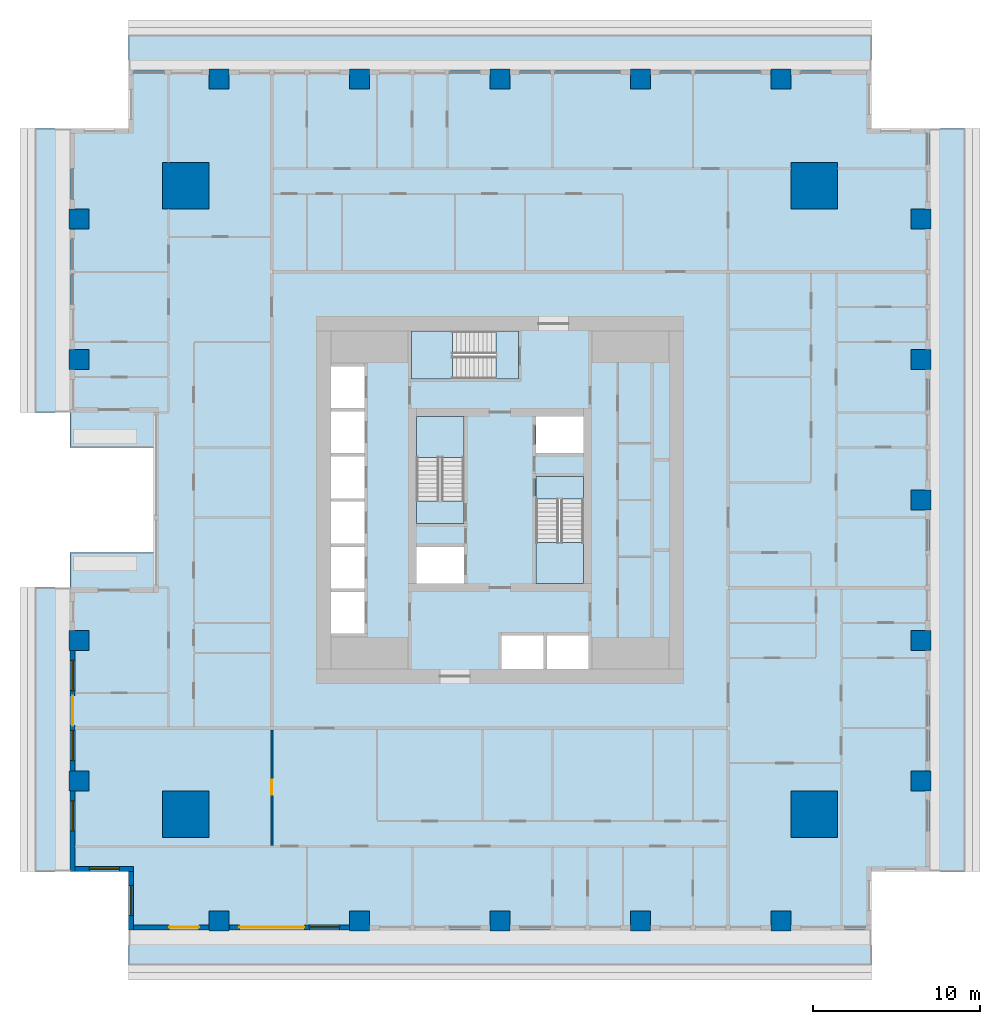
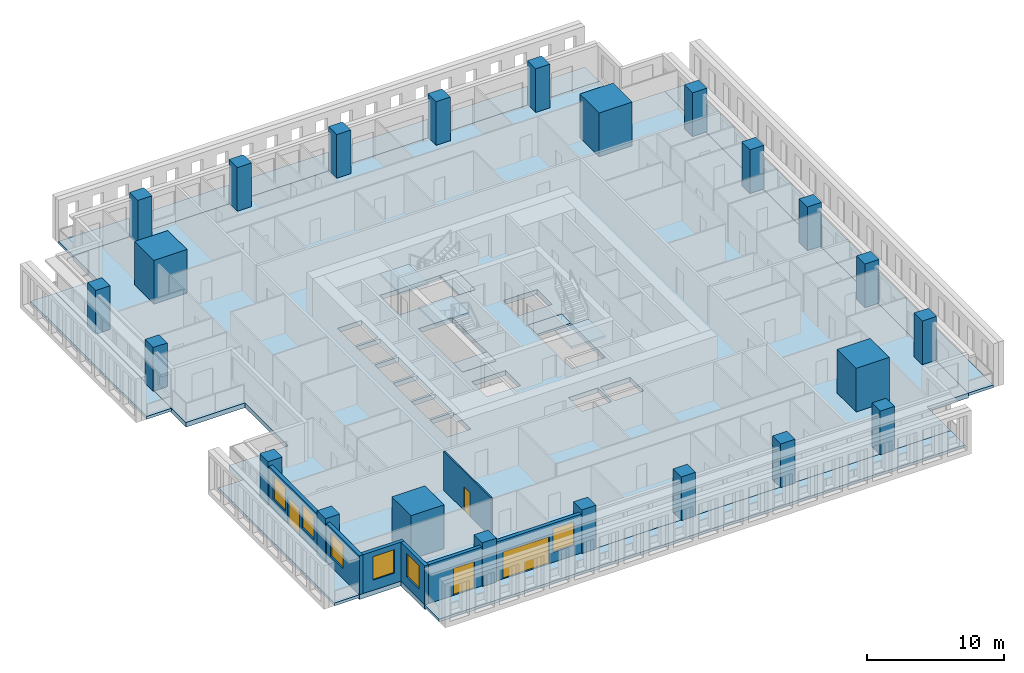
# One storey, part 1 of 14: 23 columns, 12 slabs, 7 walls, 6 windows, 4 doors, 10 openings, 3 elements without a shape of their own.
"""IFC4 building model written with IfcOpenShell, lengths in metres."""

from ifc_helpers import new_model, si_unit, direction, frame, frame_2d, origin, origin_2d, place, context, subcontext, project, spatial, polyline, rectangle, outline, extrude, material, layer, layer_set, material_profile, profile_set, type_object, element, fill, aggregate, save


model = new_model("IFC4")

# Units and contexts
model_context = context("Model", 3, precision=1e-05, world=origin(), true_north=direction((0.0, 1.0)))
body_context = subcontext(model_context, "Body", "Model", "MODEL_VIEW")
ifc_project = project(units=[si_unit("LENGTHUNIT", "METRE"), si_unit("AREAUNIT", "SQUARE_METRE"), si_unit("VOLUMEUNIT", "CUBIC_METRE"), si_unit("PLANEANGLEUNIT", "RADIAN"), si_unit("MASSUNIT", "GRAM", prefix="KILO")], contexts=[model_context])

# Site, building, storey
site_placement = place(None, origin())
site = spatial("IfcSite", under=ifc_project, at=site_placement, CompositionType="ELEMENT")
building_placement = place(site_placement, origin())
building = spatial("IfcBuilding", under=site, at=building_placement, Name="Khepri Terraces", CompositionType="ELEMENT")
storey_placement = place(building_placement, frame((0.0, 0.0, 87.0)))
storey = spatial("IfcBuildingStorey", under=building, at=storey_placement, Name="L20", CompositionType="ELEMENT", Elevation=87.0)

# Columns
ifc_material_1 = material(Name="Concrete C70/85", Category="concrete")
ifc_material_profile_1 = material_profile(ifc_material_1, rectangle(XDim=2.800048828125, YDim=2.800048828125, at=origin_2d()), Name="Concrete C70/85", Category="concrete")
ifc_profile_set_1 = profile_set([ifc_material_profile_1], Name="Concrete C70/85")
column_type_1 = type_object("IfcColumnType", Name="Mega column RC 2800x2800 C70/85", PredefinedType="COLUMN", material=ifc_profile_set_1)
for number, where, z_axis, x_axis, name in (
    (1, (18.800048828125, 18.800048828125, 0.0), (0.0, 0.0, 1.0), (1.0, 0.0, 0.0), "Mega column MEN L20"),
    (2, (18.800048828125, -18.800048828125, 0.0), (0.0, 0.0, 1.0), (1.0, 0.0, 0.0), "Mega column MES L20"),
    (3, (-18.800048828125, 18.800048828125, 0.0), (0.0, 0.0, 1.0), (1.0, 0.0, 0.0), "Mega column MWN L20"),
    (4, (-18.800048828125, -18.800048828125, 0.0), (0.0, 0.0, 1.0), (1.0, 0.0, 0.0), "Mega column MWS L20"),
):
    element("IfcColumn", number, at=place(storey_placement, frame(where, z_axis=z_axis, x_axis=x_axis)), inside=storey, type_object=column_type_1, Name=name, PredefinedType="COLUMN", context=body_context, shape_type="SweptSolid", body=[
        extrude(rectangle(XDim=2.800048828125, YDim=2.800048828125, at=origin_2d()), origin(), (0.0, 0.0, 1.0), 3.89990234375),
    ])
ifc_material_profile_2 = material_profile(ifc_material_1, rectangle(XDim=1.199951171875, YDim=1.199951171875, at=origin_2d()), Name="Concrete C70/85", Category="concrete")
ifc_profile_set_2 = profile_set([ifc_material_profile_2], Name="Concrete C70/85")
column_type_2 = type_object("IfcColumnType", Name="Tower column RC 1200x1200 C70/85", PredefinedType="COLUMN", material=ifc_profile_set_2)
for number, where, z_axis, x_axis, name in (
    (5, (25.199951171875, 0.0, 0.0), (0.0, 0.0, 1.0), (1.0, 0.0, 0.0), "Perimeter column PE+000a L20"),
    (6, (25.199951171875, 8.39990234375, 0.0), (0.0, 0.0, 1.0), (1.0, 0.0, 0.0), "Perimeter column PE+084a L20"),
    (7, (25.199951171875, 16.800048828125, 0.0), (0.0, 0.0, 1.0), (1.0, 0.0, 0.0), "Perimeter column PE+168a L20"),
    (8, (25.199951171875, -8.39990234375, 0.0), (0.0, 0.0, 1.0), (1.0, 0.0, 0.0), "Perimeter column PE-084a L20"),
    (9, (25.199951171875, -16.800048828125, 0.0), (0.0, 0.0, 1.0), (1.0, 0.0, 0.0), "Perimeter column PE-168a L20"),
    (10, (0.0, 25.199951171875, 0.0), (0.0, 0.0, 1.0), (1.0, 0.0, 0.0), "Perimeter column PN+000a L20"),
    (11, (-8.39990234375, 25.199951171875, 0.0), (0.0, 0.0, 1.0), (1.0, 0.0, 0.0), "Perimeter column PN+084a L20"),
    (12, (-16.800048828125, 25.199951171875, 0.0), (0.0, 0.0, 1.0), (1.0, 0.0, 0.0), "Perimeter column PN+168a L20"),
    (13, (8.39990234375, 25.199951171875, 0.0), (0.0, 0.0, 1.0), (1.0, 0.0, 0.0), "Perimeter column PN-084a L20"),
    (14, (16.800048828125, 25.199951171875, 0.0), (0.0, 0.0, 1.0), (1.0, 0.0, 0.0), "Perimeter column PN-168a L20"),
    (15, (0.0, -25.199951171875, 0.0), (0.0, 0.0, 1.0), (1.0, 0.0, 0.0), "Perimeter column PS+000b L20"),
    (16, (8.39990234375, -25.199951171875, 0.0), (0.0, 0.0, 1.0), (1.0, 0.0, 0.0), "Perimeter column PS+084b L20"),
    (17, (16.800048828125, -25.199951171875, 0.0), (0.0, 0.0, 1.0), (1.0, 0.0, 0.0), "Perimeter column PS+168a L20"),
    (18, (-8.39990234375, -25.199951171875, 0.0), (0.0, 0.0, 1.0), (1.0, 0.0, 0.0), "Perimeter column PS-084b L20"),
    (19, (-16.800048828125, -25.199951171875, 0.0), (0.0, 0.0, 1.0), (1.0, 0.0, 0.0), "Perimeter column PS-168a L20"),
    (20, (-25.199951171875, -8.39990234375, 0.0), (0.0, 0.0, 1.0), (1.0, 0.0, 0.0), "Perimeter column PW+084a L20"),
    (21, (-25.199951171875, -16.800048828125, 0.0), (0.0, 0.0, 1.0), (1.0, 0.0, 0.0), "Perimeter column PW+168a L20"),
    (22, (-25.199951171875, 8.39990234375, 0.0), (0.0, 0.0, 1.0), (1.0, 0.0, 0.0), "Perimeter column PW-084a L20"),
    (23, (-25.199951171875, 16.800048828125, 0.0), (0.0, 0.0, 1.0), (1.0, 0.0, 0.0), "Perimeter column PW-168a L20"),
):
    element("IfcColumn", number, at=place(storey_placement, frame(where, z_axis=z_axis, x_axis=x_axis)), inside=storey, type_object=column_type_2, Name=name, PredefinedType="COLUMN", context=body_context, shape_type="SweptSolid", body=[
        extrude(rectangle(XDim=1.199951171875, YDim=1.199951171875, at=origin_2d()), origin(), (0.0, 0.0, 1.0), 3.89990234375),
    ])

# Slabs
ifc_material_2 = material(Name="Concrete C40/50", Category="concrete")
ifc_layer_1 = layer(ifc_material_2, 0.419921875, Name="Concrete C40/50", Category="concrete")
ifc_layer_set_1 = layer_set([ifc_layer_1], Name="Concrete C40/50")
slab_type_1 = type_object("IfcSlabType", Name="Flat plate 420", PredefinedType="FLOOR", material=ifc_layer_set_1)
slab_1_placement = place(storey_placement, frame((0.0, 0.0, -0.419921875)))
element("IfcSlab", 24, at=slab_1_placement, inside=storey, type_object=slab_type_1, Name="Floor slab F01 L20", PredefinedType="FLOOR", context=body_context, shape_type="SweptSolid", body=[
    extrude(outline(polyline([(22.219970703125, -25.719970703125), (-22.219970703125, -25.719970703125), (-22.219970703125, -22.219970703125), (-25.719970703125, -22.219970703125), (-25.719970703125, -5.25), (-25.719970703125, -3.14990234375), (-20.719970703125, -3.14990234375), (-20.719970703125, 3.14990234375), (-25.719970703125, 3.14990234375), (-25.719970703125, 5.25), (-25.719970703125, 22.219970703125), (-22.219970703125, 22.219970703125), (-22.219970703125, 25.719970703125), (22.219970703125, 25.719970703125), (22.219970703125, 22.219970703125), (25.719970703125, 22.219970703125), (25.719970703125, -22.219970703125), (22.219970703125, -22.219970703125), (22.219970703125, -25.719970703125)]), holes=[polyline([(5.0, 5.0), (2.14990234375, 5.0), (2.14990234375, 2.800048828125), (5.0, 2.800048828125), (5.0, 5.0)]), polyline([(-2.14990234375, -5.0), (-2.14990234375, -2.800048828125), (-5.0, -2.800048828125), (-5.0, -5.0), (-2.14990234375, -5.0)]), polyline([(-10.10009765625, -8.0), (-8.10009765625, -8.0), (-8.10009765625, -5.5), (-10.10009765625, -5.5), (-10.10009765625, -8.0)]), polyline([(-10.10009765625, -2.800048828125), (-10.10009765625, -5.300048828125), (-8.10009765625, -5.300048828125), (-8.10009765625, -2.800048828125), (-10.10009765625, -2.800048828125)]), polyline([(-8.10009765625, -0.10009765625), (-10.10009765625, -0.10009765625), (-10.10009765625, -2.60009765625), (-8.10009765625, -2.60009765625), (-8.10009765625, -0.10009765625)]), polyline([(-8.10009765625, 0.10009765625), (-8.10009765625, 2.60009765625), (-10.10009765625, 2.60009765625), (-10.10009765625, 0.10009765625), (-8.10009765625, 0.10009765625)]), polyline([(-10.10009765625, 2.800048828125), (-8.10009765625, 2.800048828125), (-8.10009765625, 5.300048828125), (-10.10009765625, 5.300048828125), (-10.10009765625, 2.800048828125)]), polyline([(-10.10009765625, 8.0), (-10.10009765625, 5.5), (-8.10009765625, 5.5), (-8.10009765625, 8.0), (-10.10009765625, 8.0)]), polyline([(2.60009765625, -8.10009765625), (0.10009765625, -8.10009765625), (0.10009765625, -10.10009765625), (2.60009765625, -10.10009765625), (2.60009765625, -8.10009765625)]), polyline([(5.300048828125, -10.10009765625), (5.300048828125, -8.10009765625), (2.800048828125, -8.10009765625), (2.800048828125, -10.10009765625), (5.300048828125, -10.10009765625)]), polyline([(-5.0, -1.39990234375), (-2.14990234375, -1.39990234375), (-2.14990234375, 5.0), (-5.0, 5.0), (-5.0, -1.39990234375)]), polyline([(5.0, -5.0), (5.0, 1.39990234375), (2.14990234375, 1.39990234375), (2.14990234375, -5.0), (5.0, -5.0)]), polyline([(-5.300048828125, 10.10009765625), (-5.300048828125, 7.25), (1.10009765625, 7.25), (1.10009765625, 10.10009765625), (-5.300048828125, 10.10009765625)])]), origin(), (0.0, 0.0, 1.0), 0.419921875),
])
ifc_material_3 = material(Name="Precast concrete C50/60 warm stone", Category="masonry")
ifc_layer_2 = layer(ifc_material_3, 0.25, Name="Precast concrete C50/60 warm stone", Category="masonry")
ifc_layer_set_2 = layer_set([ifc_layer_2], Name="Precast concrete C50/60 warm stone")
slab_type_2 = type_object("IfcSlabType", Name="SLB-BALCONY-250", PredefinedType="FLOOR", material=ifc_layer_set_2)
slab_2_placement = place(storey_placement, frame((0.0, 0.0, -0.25)))
element("IfcSlab", 25, at=slab_2_placement, inside=storey, type_object=slab_type_2, Name="Balcony slab L20 S", PredefinedType="FLOOR", context=body_context, shape_type="SweptSolid", body=[
    extrude(outline(polyline([(-17.39990234375, -25.719970703125), (-22.219970703125, -25.719970703125), (-22.219970703125, -27.820068359375), (22.219970703125, -27.820068359375), (22.219970703125, -25.719970703125), (17.39990234375, -25.719970703125), (17.39990234375, -25.800048828125), (16.199951171875, -25.800048828125), (16.199951171875, -25.719970703125), (9.0, -25.719970703125), (9.0, -25.800048828125), (7.800048828125, -25.800048828125), (7.800048828125, -25.719970703125), (0.60009765625, -25.719970703125), (0.60009765625, -25.800048828125), (-0.60009765625, -25.800048828125), (-0.60009765625, -25.719970703125), (-7.800048828125, -25.719970703125), (-7.800048828125, -25.800048828125), (-9.0, -25.800048828125), (-9.0, -25.719970703125), (-16.199951171875, -25.719970703125), (-16.199951171875, -25.800048828125), (-17.39990234375, -25.800048828125), (-17.39990234375, -25.719970703125)])), origin(), (0.0, 0.0, 1.0), 0.25),
])
slab_3_placement = place(storey_placement, frame((0.0, 0.0, -0.25)))
element("IfcSlab", 26, at=slab_3_placement, inside=storey, type_object=slab_type_2, Name="Balcony slab L20 E", PredefinedType="FLOOR", context=body_context, shape_type="SweptSolid", body=[
    extrude(outline(polyline([(25.719970703125, -17.39990234375), (25.719970703125, -22.219970703125), (27.820068359375, -22.219970703125), (27.820068359375, 22.219970703125), (25.719970703125, 22.219970703125), (25.719970703125, 17.39990234375), (25.800048828125, 17.39990234375), (25.800048828125, 16.199951171875), (25.719970703125, 16.199951171875), (25.719970703125, 9.0), (25.800048828125, 9.0), (25.800048828125, 7.800048828125), (25.719970703125, 7.800048828125), (25.719970703125, 0.60009765625), (25.800048828125, 0.60009765625), (25.800048828125, -0.60009765625), (25.719970703125, -0.60009765625), (25.719970703125, -7.800048828125), (25.800048828125, -7.800048828125), (25.800048828125, -9.0), (25.719970703125, -9.0), (25.719970703125, -16.199951171875), (25.800048828125, -16.199951171875), (25.800048828125, -17.39990234375), (25.719970703125, -17.39990234375)])), origin(), (0.0, 0.0, 1.0), 0.25),
])
slab_4_placement = place(storey_placement, frame((0.0, 0.0, -0.25)))
element("IfcSlab", 27, at=slab_4_placement, inside=storey, type_object=slab_type_2, Name="Balcony slab L20 N", PredefinedType="FLOOR", context=body_context, shape_type="SweptSolid", body=[
    extrude(outline(polyline([(17.39990234375, 25.719970703125), (22.219970703125, 25.719970703125), (22.219970703125, 27.820068359375), (-22.219970703125, 27.820068359375), (-22.219970703125, 25.719970703125), (-17.39990234375, 25.719970703125), (-17.39990234375, 25.800048828125), (-16.199951171875, 25.800048828125), (-16.199951171875, 25.719970703125), (-9.0, 25.719970703125), (-9.0, 25.800048828125), (-7.800048828125, 25.800048828125), (-7.800048828125, 25.719970703125), (-0.60009765625, 25.719970703125), (-0.60009765625, 25.800048828125), (0.60009765625, 25.800048828125), (0.60009765625, 25.719970703125), (7.800048828125, 25.719970703125), (7.800048828125, 25.800048828125), (9.0, 25.800048828125), (9.0, 25.719970703125), (16.199951171875, 25.719970703125), (16.199951171875, 25.800048828125), (17.39990234375, 25.800048828125), (17.39990234375, 25.719970703125)])), origin(), (0.0, 0.0, 1.0), 0.25),
])
slab_5_placement = place(storey_placement, frame((0.0, 0.0, -0.25)))
element("IfcSlab", 28, at=slab_5_placement, inside=storey, type_object=slab_type_2, Name="Balcony slab L20 W", PredefinedType="FLOOR", context=body_context, shape_type="SweptSolid", body=[
    extrude(outline(polyline([(-25.719970703125, 17.39990234375), (-25.719970703125, 22.219970703125), (-27.820068359375, 22.219970703125), (-27.820068359375, 5.25), (-25.719970703125, 5.25), (-25.719970703125, 7.800048828125), (-25.800048828125, 7.800048828125), (-25.800048828125, 9.0), (-25.719970703125, 9.0), (-25.719970703125, 16.199951171875), (-25.800048828125, 16.199951171875), (-25.800048828125, 17.39990234375), (-25.719970703125, 17.39990234375)])), origin(), (0.0, 0.0, 1.0), 0.25),
])
slab_6_placement = place(storey_placement, frame((0.0, 0.0, -0.25)))
element("IfcSlab", 29, at=slab_6_placement, inside=storey, type_object=slab_type_2, Name="Balcony slab L20 W", PredefinedType="FLOOR", context=body_context, shape_type="SweptSolid", body=[
    extrude(outline(polyline([(-25.719970703125, -7.800048828125), (-25.719970703125, -5.25), (-27.820068359375, -5.25), (-27.820068359375, -22.219970703125), (-25.719970703125, -22.219970703125), (-25.719970703125, -17.39990234375), (-25.800048828125, -17.39990234375), (-25.800048828125, -16.199951171875), (-25.719970703125, -16.199951171875), (-25.719970703125, -9.0), (-25.800048828125, -9.0), (-25.800048828125, -7.800048828125), (-25.719970703125, -7.800048828125)])), origin(), (0.0, 0.0, 1.0), 0.25),
])

# Stair, slabs
stair_type = type_object("IfcStairType", Name="STAIR-RC-22R", PredefinedType="HALF_TURN_STAIR", material=ifc_material_2)
stair_1_placement = place(storey_placement, origin())
stair_1 = element("IfcStair", 30, at=stair_1_placement, inside=storey, type_object=stair_type, Name="L20 Exit Stair ST-1", PredefinedType="HALF_TURN_STAIR")
ifc_layer_3 = layer(ifc_material_2, 0.199951171875, Name="Concrete C40/50", Category="concrete")
ifc_layer_set_3 = layer_set([ifc_layer_3], Name="Concrete C40/50")
slab_type_3 = type_object("IfcSlabType", Name="SLB-CORE-LANDING", PredefinedType="LANDING", material=ifc_layer_set_3)
slab_7_placement = place(storey_placement, frame((0.0, 0.0, -0.199951171875)))
slab_7 = element("IfcSlab", 31, at=slab_7_placement, type_object=slab_type_3, Name="ST-1 landing 1", PredefinedType="LANDING", context=body_context, shape_type="SweptSolid", body=[
    extrude(outline(polyline([(-2.14990234375, -1.39990234375), (-2.14990234375, -0.050048828125), (-5.0, -0.050048828125), (-5.0, -1.39990234375), (-2.14990234375, -1.39990234375)])), origin(), (0.0, 0.0, 1.0), 0.199951171875),
])
slab_8_placement = place(storey_placement, frame((0.0, 0.0, 1.75)))
slab_8 = element("IfcSlab", 32, at=slab_8_placement, type_object=slab_type_3, Name="ST-1 landing 2", PredefinedType="LANDING", context=body_context, shape_type="SweptSolid", body=[
    extrude(outline(polyline([(-2.14990234375, 2.550048828125), (-2.14990234375, 5.0), (-5.0, 5.0), (-5.0, 2.550048828125), (-2.14990234375, 2.550048828125)])), origin(), (0.0, 0.0, 1.0), 0.199951171875),
])
aggregate(stair_1, [slab_7, slab_8])

stair_2_placement = place(storey_placement, origin())
stair_2 = element("IfcStair", 33, at=stair_2_placement, inside=storey, type_object=stair_type, Name="L20 Exit Stair ST-2", PredefinedType="HALF_TURN_STAIR")
slab_9_placement = place(storey_placement, frame((0.0, 0.0, -0.199951171875)))
slab_9 = element("IfcSlab", 34, at=slab_9_placement, type_object=slab_type_3, Name="ST-2 landing 1", PredefinedType="LANDING", context=body_context, shape_type="SweptSolid", body=[
    extrude(outline(polyline([(2.14990234375, 1.39990234375), (2.14990234375, 0.050048828125), (5.0, 0.050048828125), (5.0, 1.39990234375), (2.14990234375, 1.39990234375)])), origin(), (0.0, 0.0, 1.0), 0.199951171875),
])
slab_10_placement = place(storey_placement, frame((0.0, 0.0, 1.75)))
slab_10 = element("IfcSlab", 35, at=slab_10_placement, type_object=slab_type_3, Name="ST-2 landing 2", PredefinedType="LANDING", context=body_context, shape_type="SweptSolid", body=[
    extrude(outline(polyline([(2.14990234375, -2.550048828125), (2.14990234375, -5.0), (5.0, -5.0), (5.0, -2.550048828125), (2.14990234375, -2.550048828125)])), origin(), (0.0, 0.0, 1.0), 0.199951171875),
])
aggregate(stair_2, [slab_9, slab_10])

stair_3_placement = place(storey_placement, origin())
stair_3 = element("IfcStair", 36, at=stair_3_placement, inside=storey, type_object=stair_type, Name="L20 Exit Stair ST-3", PredefinedType="HALF_TURN_STAIR")
slab_11_placement = place(storey_placement, frame((0.0, 0.0, -0.199951171875)))
slab_11 = element("IfcSlab", 37, at=slab_11_placement, type_object=slab_type_3, Name="ST-3 landing 1", PredefinedType="LANDING", context=body_context, shape_type="SweptSolid", body=[
    extrude(outline(polyline([(1.10009765625, 10.10009765625), (-0.25, 10.10009765625), (-0.25, 7.25), (1.10009765625, 7.25), (1.10009765625, 10.10009765625)])), origin(), (0.0, 0.0, 1.0), 0.199951171875),
])
slab_12_placement = place(storey_placement, frame((0.0, 0.0, 1.75)))
slab_12 = element("IfcSlab", 38, at=slab_12_placement, type_object=slab_type_3, Name="ST-3 landing 2", PredefinedType="LANDING", context=body_context, shape_type="SweptSolid", body=[
    extrude(outline(polyline([(-2.85009765625, 10.10009765625), (-5.300048828125, 10.10009765625), (-5.300048828125, 7.25), (-2.85009765625, 7.25), (-2.85009765625, 10.10009765625)])), origin(), (0.0, 0.0, 1.0), 0.199951171875),
])
aggregate(stair_3, [slab_11, slab_12])

# Wall, openings, door, windows
ifc_layer_4 = layer(ifc_material_3, 0.300048828125, Name="Precast concrete C50/60 warm stone", Category="masonry")
ifc_layer_set_4 = layer_set([ifc_layer_4], Name="Precast concrete C50/60 warm stone")
wall_type_1 = type_object("IfcWallType", Name="WL-EXT-PRECAST-300", PredefinedType="STANDARD", material=ifc_layer_set_4)
wall_1_placement = place(storey_placement, frame((-25.570068359375, -9.0, 0.0), z_axis=(0.0, 0.0, 1.0), x_axis=(0.0, -1.0, 0.0)))
wall_1 = element("IfcWall", 39, at=wall_1_placement, inside=storey, type_object=wall_type_1, Name="External wall L20 W", PredefinedType="STANDARD", context=body_context, shape_type="SweptSolid", body=[
    extrude(rectangle(XDim=7.199951171875, YDim=0.300048828125, at=frame_2d((3.60009765625, 0.0))), origin(), (0.0, 0.0, 1.0), 3.47998046875),
])
opening_1_placement = place(wall_1_placement, frame((0.60009765625, 0.0, 0.89990234375)))
opening_1 = element("IfcOpeningElement", 40, at=opening_1_placement, cuts=wall_1, Name="Opening W1", PredefinedType="OPENING", context=body_context, shape_type="SweptSolid", body=[
    extrude(rectangle(XDim=1.800048828125, YDim=2.10009765625, at=frame_2d((0.89990234375, 1.050048828125))), frame((0.0, 0.16015625, 0.0), z_axis=(0.0, -1.0, 0.0), x_axis=(1.0, 0.0, 0.0)), (0.0, 0.0, 1.0), 0.320068359375),
])
opening_2_placement = place(wall_1_placement, frame((2.699951171875, 0.0, 0.0)))
opening_2 = element("IfcOpeningElement", 41, at=opening_2_placement, cuts=wall_1, Name="Opening ED-L20-19", PredefinedType="OPENING", context=body_context, shape_type="SweptSolid", body=[
    extrude(rectangle(XDim=1.800048828125, YDim=2.39990234375, at=frame_2d((0.89990234375, 1.199951171875))), frame((0.0, 0.16015625, 0.0), z_axis=(0.0, -1.0, 0.0), x_axis=(1.0, 0.0, 0.0)), (0.0, 0.0, 1.0), 0.320068359375),
])
opening_3_placement = place(wall_1_placement, frame((4.800048828125, 0.0, 0.89990234375)))
opening_3 = element("IfcOpeningElement", 42, at=opening_3_placement, cuts=wall_1, Name="Opening W1", PredefinedType="OPENING", context=body_context, shape_type="SweptSolid", body=[
    extrude(rectangle(XDim=1.800048828125, YDim=2.10009765625, at=frame_2d((0.89990234375, 1.050048828125))), frame((0.0, 0.16015625, 0.0), z_axis=(0.0, -1.0, 0.0), x_axis=(1.0, 0.0, 0.0)), (0.0, 0.0, 1.0), 0.320068359375),
])
ifc_material_4 = material(Name="Anodised aluminium bronze glazed door", Category="aluminium")
door_type_1 = type_object("IfcDoorType", Name="DR-BAL-SLIDE-1800x2400", OperationType="NOTDEFINED", PredefinedType="DOOR", material=ifc_material_4)
door_1_placement = place(opening_2_placement, origin())
door_1 = element("IfcDoor", 43, at=door_1_placement, inside=storey, type_object=door_type_1, Name="Balcony door L20 W", OperationType="SLIDING_TO_RIGHT", OverallHeight=2.39990234375, OverallWidth=1.800048828125, PredefinedType="DOOR", context=body_context, shape_type="SweptSolid", body=[
    extrude(rectangle(XDim=1.800048828125, YDim=2.39990234375, at=frame_2d((0.89990234375, 1.199951171875))), frame((0.0, 0.02490234375, 0.0), z_axis=(0.0, -1.0, 0.0), x_axis=(1.0, 0.0, 0.0)), (0.0, 0.0, 1.0), 0.050048828125),
])
fill(opening_2, door_1)
ifc_material_5 = material(Name="Clear glass", Category="glass")
window_type = type_object("IfcWindowType", Name="WIN-RES-1800x2100", PartitioningType="SINGLE_PANEL", PredefinedType="WINDOW", material=ifc_material_5)
window_1_placement = place(opening_1_placement, origin())
window_1 = element("IfcWindow", 44, at=window_1_placement, inside=storey, type_object=window_type, Name="Window L20 W", OverallHeight=2.10009765625, OverallWidth=1.800048828125, PartitioningType="SINGLE_PANEL", PredefinedType="WINDOW", context=body_context, shape_type="SweptSolid", body=[
    extrude(rectangle(XDim=1.800048828125, YDim=2.10009765625, at=frame_2d((0.89990234375, 1.050048828125))), frame((0.0, 0.030029296875, 0.0), z_axis=(0.0, -1.0, 0.0), x_axis=(1.0, 0.0, 0.0)), (0.0, 0.0, 1.0), 0.06005859375),
])
fill(opening_1, window_1)
window_2_placement = place(opening_3_placement, origin())
window_2 = element("IfcWindow", 45, at=window_2_placement, inside=storey, type_object=window_type, Name="Window L20 W", OverallHeight=2.10009765625, OverallWidth=1.800048828125, PartitioningType="SINGLE_PANEL", PredefinedType="WINDOW", context=body_context, shape_type="SweptSolid", body=[
    extrude(rectangle(XDim=1.800048828125, YDim=2.10009765625, at=frame_2d((0.89990234375, 1.050048828125))), frame((0.0, 0.030029296875, 0.0), z_axis=(0.0, -1.0, 0.0), x_axis=(1.0, 0.0, 0.0)), (0.0, 0.0, 1.0), 0.06005859375),
])
fill(opening_3, window_2)

# Wall, opening, window
wall_2_placement = place(storey_placement, frame((-25.570068359375, -17.39990234375, 0.0), z_axis=(0.0, 0.0, 1.0), x_axis=(0.0, -1.0, 0.0)))
wall_2 = element("IfcWall", 46, at=wall_2_placement, inside=storey, type_object=wall_type_1, Name="External wall L20 W", PredefinedType="STANDARD", context=body_context, shape_type="SweptSolid", body=[
    extrude(rectangle(XDim=4.820068359375, YDim=0.300048828125, at=frame_2d((2.41015625, 0.0))), origin(), (0.0, 0.0, 1.0), 3.47998046875),
])
opening_4_placement = place(wall_2_placement, frame((0.60009765625, 0.0, 0.89990234375)))
opening_4 = element("IfcOpeningElement", 47, at=opening_4_placement, cuts=wall_2, Name="Opening W1", PredefinedType="OPENING", context=body_context, shape_type="SweptSolid", body=[
    extrude(rectangle(XDim=1.800048828125, YDim=2.10009765625, at=frame_2d((0.89990234375, 1.050048828125))), frame((0.0, 0.16015625, 0.0), z_axis=(0.0, -1.0, 0.0), x_axis=(1.0, 0.0, 0.0)), (0.0, 0.0, 1.0), 0.320068359375),
])
window_3_placement = place(opening_4_placement, origin())
window_3 = element("IfcWindow", 48, at=window_3_placement, inside=storey, type_object=window_type, Name="Window L20 W", OverallHeight=2.10009765625, OverallWidth=1.800048828125, PartitioningType="SINGLE_PANEL", PredefinedType="WINDOW", context=body_context, shape_type="SweptSolid", body=[
    extrude(rectangle(XDim=1.800048828125, YDim=2.10009765625, at=frame_2d((0.89990234375, 1.050048828125))), frame((0.0, 0.030029296875, 0.0), z_axis=(0.0, -1.0, 0.0), x_axis=(1.0, 0.0, 0.0)), (0.0, 0.0, 1.0), 0.06005859375),
])
fill(opening_4, window_3)

wall_3_placement = place(storey_placement, frame((-25.419921875, -22.070068359375, 0.0), z_axis=(0.0, 0.0, 1.0), x_axis=(1.0, 0.0, 0.0)))
wall_3 = element("IfcWall", 49, at=wall_3_placement, inside=storey, type_object=wall_type_1, Name="External wall L20 S", PredefinedType="STANDARD", context=body_context, shape_type="SweptSolid", body=[
    extrude(rectangle(XDim=3.5, YDim=0.300048828125, at=frame_2d((1.75, 0.0))), origin(), (0.0, 0.0, 1.0), 3.47998046875),
])
opening_5_placement = place(wall_3_placement, frame((0.85009765625, 0.0, 0.89990234375)))
opening_5 = element("IfcOpeningElement", 50, at=opening_5_placement, cuts=wall_3, Name="Opening W1", PredefinedType="OPENING", context=body_context, shape_type="SweptSolid", body=[
    extrude(rectangle(XDim=1.800048828125, YDim=2.10009765625, at=frame_2d((0.89990234375, 1.050048828125))), frame((0.0, 0.16015625, 0.0), z_axis=(0.0, -1.0, 0.0), x_axis=(1.0, 0.0, 0.0)), (0.0, 0.0, 1.0), 0.320068359375),
])
window_4_placement = place(opening_5_placement, origin())
window_4 = element("IfcWindow", 51, at=window_4_placement, inside=storey, type_object=window_type, Name="Window L20 S", OverallHeight=2.10009765625, OverallWidth=1.800048828125, PartitioningType="SINGLE_PANEL", PredefinedType="WINDOW", context=body_context, shape_type="SweptSolid", body=[
    extrude(rectangle(XDim=1.800048828125, YDim=2.10009765625, at=frame_2d((0.89990234375, 1.050048828125))), frame((0.0, 0.030029296875, 0.0), z_axis=(0.0, -1.0, 0.0), x_axis=(1.0, 0.0, 0.0)), (0.0, 0.0, 1.0), 0.06005859375),
])
fill(opening_5, window_4)

wall_4_placement = place(storey_placement, frame((-22.070068359375, -22.219970703125, 0.0), z_axis=(0.0, 0.0, 1.0), x_axis=(0.0, -1.0, 0.0)))
wall_4 = element("IfcWall", 52, at=wall_4_placement, inside=storey, type_object=wall_type_1, Name="External wall L20 W", PredefinedType="STANDARD", context=body_context, shape_type="SweptSolid", body=[
    extrude(rectangle(XDim=3.5, YDim=0.300048828125, at=frame_2d((1.75, 0.0))), origin(), (0.0, 0.0, 1.0), 3.47998046875),
])
opening_6_placement = place(wall_4_placement, frame((0.85009765625, 0.0, 0.89990234375)))
opening_6 = element("IfcOpeningElement", 53, at=opening_6_placement, cuts=wall_4, Name="Opening W1", PredefinedType="OPENING", context=body_context, shape_type="SweptSolid", body=[
    extrude(rectangle(XDim=1.800048828125, YDim=2.10009765625, at=frame_2d((0.89990234375, 1.050048828125))), frame((0.0, 0.16015625, 0.0), z_axis=(0.0, -1.0, 0.0), x_axis=(1.0, 0.0, 0.0)), (0.0, 0.0, 1.0), 0.320068359375),
])
window_5_placement = place(opening_6_placement, origin())
window_5 = element("IfcWindow", 54, at=window_5_placement, inside=storey, type_object=window_type, Name="Window L20 W", OverallHeight=2.10009765625, OverallWidth=1.800048828125, PartitioningType="SINGLE_PANEL", PredefinedType="WINDOW", context=body_context, shape_type="SweptSolid", body=[
    extrude(rectangle(XDim=1.800048828125, YDim=2.10009765625, at=frame_2d((0.89990234375, 1.050048828125))), frame((0.0, 0.030029296875, 0.0), z_axis=(0.0, -1.0, 0.0), x_axis=(1.0, 0.0, 0.0)), (0.0, 0.0, 1.0), 0.06005859375),
])
fill(opening_6, window_5)

# Wall, opening, door
wall_5_placement = place(storey_placement, frame((-21.919921875, -25.570068359375, 0.0), z_axis=(0.0, 0.0, 1.0), x_axis=(1.0, 0.0, 0.0)))
wall_5 = element("IfcWall", 55, at=wall_5_placement, inside=storey, type_object=wall_type_1, Name="External wall L20 S", PredefinedType="STANDARD", context=body_context, shape_type="SweptSolid", body=[
    extrude(rectangle(XDim=4.52001953125, YDim=0.300048828125, at=frame_2d((2.260009765625, 0.0))), origin(), (0.0, 0.0, 1.0), 3.47998046875),
])
opening_7_placement = place(wall_5_placement, frame((2.1201171875, 0.0, 0.0)))
opening_7 = element("IfcOpeningElement", 56, at=opening_7_placement, cuts=wall_5, Name="Opening ED-L20-20", PredefinedType="OPENING", context=body_context, shape_type="SweptSolid", body=[
    extrude(rectangle(XDim=1.800048828125, YDim=2.39990234375, at=frame_2d((0.89990234375, 1.199951171875))), frame((0.0, 0.16015625, 0.0), z_axis=(0.0, -1.0, 0.0), x_axis=(1.0, 0.0, 0.0)), (0.0, 0.0, 1.0), 0.320068359375),
])
door_2_placement = place(opening_7_placement, origin())
door_2 = element("IfcDoor", 57, at=door_2_placement, inside=storey, type_object=door_type_1, Name="Balcony door L20 S", OperationType="SLIDING_TO_RIGHT", OverallHeight=2.39990234375, OverallWidth=1.800048828125, PredefinedType="DOOR", context=body_context, shape_type="SweptSolid", body=[
    extrude(rectangle(XDim=1.800048828125, YDim=2.39990234375, at=frame_2d((0.89990234375, 1.199951171875))), frame((0.0, 0.02490234375, 0.0), z_axis=(0.0, -1.0, 0.0), x_axis=(1.0, 0.0, 0.0)), (0.0, 0.0, 1.0), 0.050048828125),
])
fill(opening_7, door_2)

# Wall, openings, door, window
wall_6_placement = place(storey_placement, frame((-16.199951171875, -25.570068359375, 0.0), z_axis=(0.0, 0.0, 1.0), x_axis=(1.0, 0.0, 0.0)))
wall_6 = element("IfcWall", 58, at=wall_6_placement, inside=storey, type_object=wall_type_1, Name="External wall L20 S", PredefinedType="STANDARD", context=body_context, shape_type="SweptSolid", body=[
    extrude(rectangle(XDim=7.199951171875, YDim=0.300048828125, at=frame_2d((3.60009765625, 0.0))), origin(), (0.0, 0.0, 1.0), 3.47998046875),
])
opening_8_placement = place(wall_6_placement, frame((0.60009765625, 0.0, 0.0)))
opening_8 = element("IfcOpeningElement", 59, at=opening_8_placement, cuts=wall_6, Name="Opening ED-L20-21", PredefinedType="OPENING", context=body_context, shape_type="SweptSolid", body=[
    extrude(rectangle(XDim=3.89990234375, YDim=2.39990234375, at=frame_2d((1.949951171875, 1.199951171875))), frame((0.0, 0.16015625, 0.0), z_axis=(0.0, -1.0, 0.0), x_axis=(1.0, 0.0, 0.0)), (0.0, 0.0, 1.0), 0.320068359375),
])
opening_9_placement = place(wall_6_placement, frame((4.800048828125, 0.0, 0.89990234375)))
opening_9 = element("IfcOpeningElement", 60, at=opening_9_placement, cuts=wall_6, Name="Opening W1", PredefinedType="OPENING", context=body_context, shape_type="SweptSolid", body=[
    extrude(rectangle(XDim=1.800048828125, YDim=2.10009765625, at=frame_2d((0.89990234375, 1.050048828125))), frame((0.0, 0.16015625, 0.0), z_axis=(0.0, -1.0, 0.0), x_axis=(1.0, 0.0, 0.0)), (0.0, 0.0, 1.0), 0.320068359375),
])
door_type_2 = type_object("IfcDoorType", Name="DR-BAL-SLIDE-3900x2400", OperationType="NOTDEFINED", PredefinedType="DOOR", material=ifc_material_4)
door_3_placement = place(opening_8_placement, origin())
door_3 = element("IfcDoor", 61, at=door_3_placement, inside=storey, type_object=door_type_2, Name="Balcony door L20 S", OperationType="SLIDING_TO_LEFT", OverallHeight=2.39990234375, OverallWidth=3.89990234375, PredefinedType="DOOR", context=body_context, shape_type="SweptSolid", body=[
    extrude(rectangle(XDim=3.89990234375, YDim=2.39990234375, at=frame_2d((1.949951171875, 1.199951171875))), frame((0.0, 0.02490234375, 0.0), z_axis=(0.0, -1.0, 0.0), x_axis=(1.0, 0.0, 0.0)), (0.0, 0.0, 1.0), 0.050048828125),
])
fill(opening_8, door_3)
window_6_placement = place(opening_9_placement, origin())
window_6 = element("IfcWindow", 62, at=window_6_placement, inside=storey, type_object=window_type, Name="Window L20 S", OverallHeight=2.10009765625, OverallWidth=1.800048828125, PartitioningType="SINGLE_PANEL", PredefinedType="WINDOW", context=body_context, shape_type="SweptSolid", body=[
    extrude(rectangle(XDim=1.800048828125, YDim=2.10009765625, at=frame_2d((0.89990234375, 1.050048828125))), frame((0.0, 0.030029296875, 0.0), z_axis=(0.0, -1.0, 0.0), x_axis=(1.0, 0.0, 0.0)), (0.0, 0.0, 1.0), 0.06005859375),
])
fill(opening_9, window_6)

# Wall, opening, door
ifc_material_6 = material(Name="Gypsum plasterboard partition")
ifc_layer_5 = layer(ifc_material_6, 0.1201171875, Name="Gypsum plasterboard partition")
ifc_layer_set_5 = layer_set([ifc_layer_5], Name="Gypsum plasterboard partition")
wall_type_2 = type_object("IfcWallType", Name="WL-PART-120", PredefinedType="PARTITIONING", material=ifc_layer_set_5)
wall_7_placement = place(storey_placement, frame((-13.64990234375, -20.659912109375, 0.0), z_axis=(0.0, 0.0, 1.0), x_axis=(0.0, 1.0, 0.0)))
wall_7 = element("IfcWall", 63, at=wall_7_placement, inside=storey, type_object=wall_type_2, Name="Partition P-010 L20", PredefinedType="PARTITIONING", context=body_context, shape_type="SweptSolid", body=[
    extrude(rectangle(XDim=6.909912109375, YDim=0.1201171875, at=frame_2d((3.455078125, 0.0))), origin(), (0.0, 0.0, 1.0), 3.47998046875),
])
opening_10_placement = place(wall_7_placement, frame((3.02490234375, 0.0, 0.0)))
opening_10 = element("IfcOpeningElement", 64, at=opening_10_placement, cuts=wall_7, Name="Opening D3", PredefinedType="OPENING", context=body_context, shape_type="SweptSolid", body=[
    extrude(rectangle(XDim=0.89990234375, YDim=2.10009765625, at=frame_2d((0.449951171875, 1.050048828125))), frame((0.0, 0.070068359375, 0.0), z_axis=(0.0, -1.0, 0.0), x_axis=(1.0, 0.0, 0.0)), (0.0, 0.0, 1.0), 0.14013671875),
])
ifc_material_7 = material(Name="Timber door leaf", Category="wood")
door_type_3 = type_object("IfcDoorType", Name="DR-INT-900", OperationType="NOTDEFINED", PredefinedType="DOOR", material=ifc_material_7)
door_4_placement = place(opening_10_placement, origin())
door_4 = element("IfcDoor", 65, at=door_4_placement, inside=storey, type_object=door_type_3, Name="Door Library", OperationType="SINGLE_SWING_RIGHT", OverallHeight=2.10009765625, OverallWidth=0.89990234375, PredefinedType="DOOR", context=body_context, shape_type="SweptSolid", body=[
    extrude(rectangle(XDim=0.89990234375, YDim=2.10009765625, at=frame_2d((0.449951171875, 1.050048828125))), frame((0.0, 0.02490234375, 0.0), z_axis=(0.0, -1.0, 0.0), x_axis=(1.0, 0.0, 0.0)), (0.0, 0.0, 1.0), 0.050048828125),
])
fill(opening_10, door_4)

save(model, "model.ifc")
